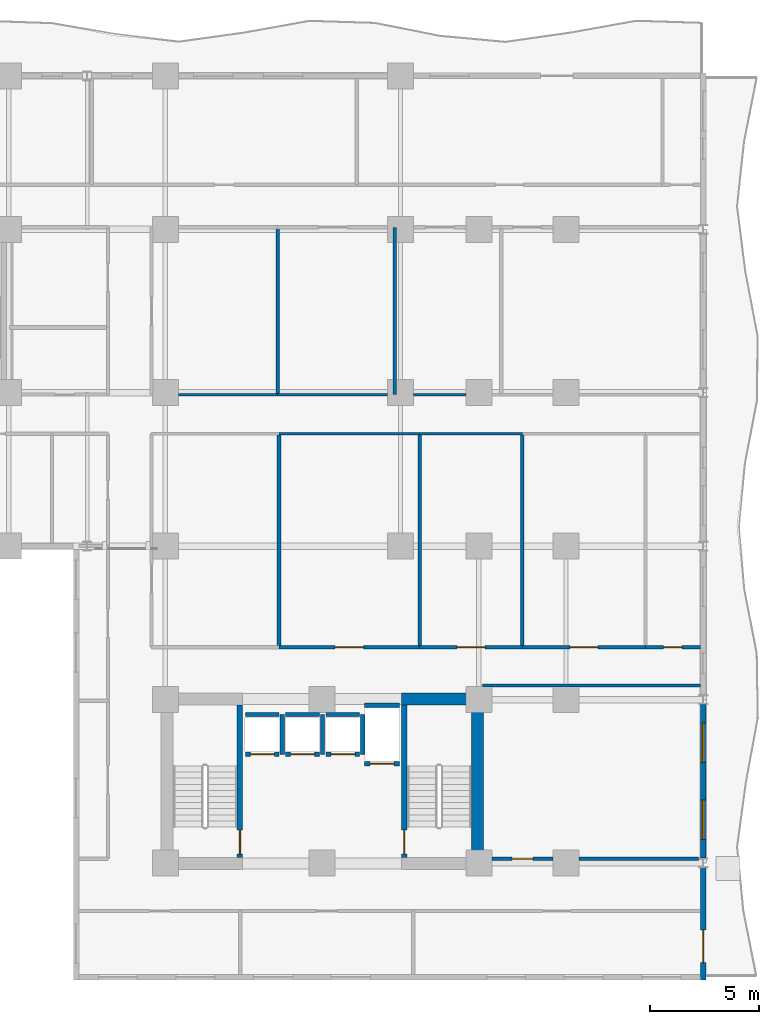
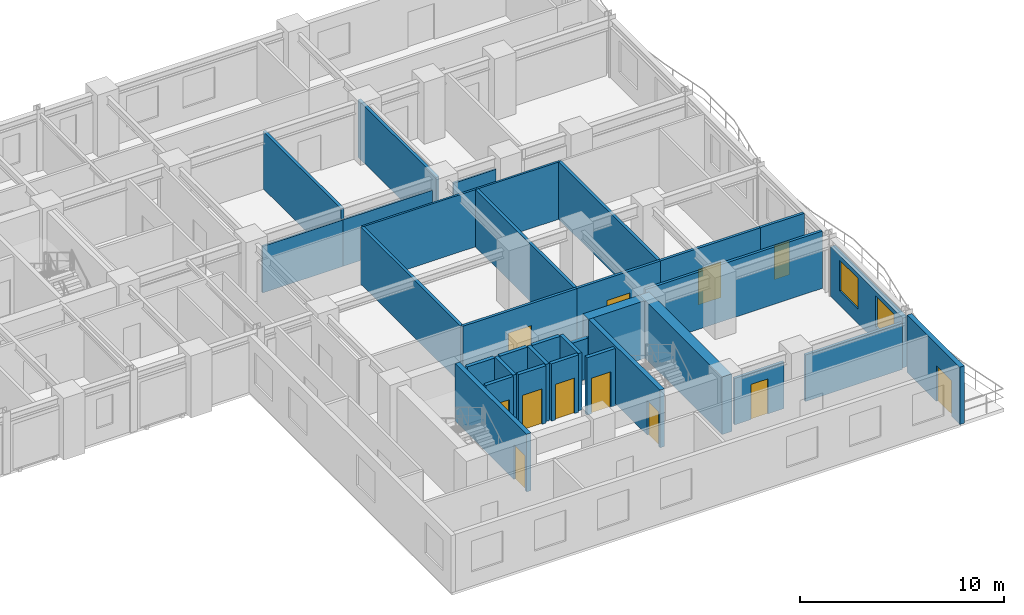
# One storey, part 5 of 11: 34 walls, 12 doors, 2 windows, 14 openings.
"""IFC4 building model written with IfcOpenShell, lengths in metres."""

from ifc_helpers import new_model, si_unit, direction, frame, frame_2d, origin, place, context, subcontext, project, spatial, rectangle, extrude, material, layer, layer_set, type_object, element, fill, save


model = new_model("IFC4")

# Units and contexts
model_context = context("Model", 3, precision=1e-05, world=origin(), true_north=direction((0.0, 1.0)))
body_context = subcontext(model_context, "Body", "Model", "MODEL_VIEW")
ifc_project = project(units=[si_unit("LENGTHUNIT", "METRE"), si_unit("AREAUNIT", "SQUARE_METRE"), si_unit("VOLUMEUNIT", "CUBIC_METRE"), si_unit("PLANEANGLEUNIT", "RADIAN"), si_unit("MASSUNIT", "GRAM", prefix="KILO")], contexts=[model_context])

# Site, building, storey
site_placement = place(None, origin())
site = spatial("IfcSite", under=ifc_project, at=site_placement, CompositionType="ELEMENT")
building_placement = place(site_placement, origin())
building = spatial("IfcBuilding", under=site, at=building_placement, Name="Kaliganga Portal Commons", CompositionType="ELEMENT")
storey_placement = place(building_placement, frame((0.0, 0.0, 104.5)))
storey = spatial("IfcBuildingStorey", under=building, at=storey_placement, Name="L26", CompositionType="ELEMENT", Elevation=104.5)

# Walls
ifc_material_1 = material(Name="Concrete C60/75", Category="concrete")
ifc_layer_1 = layer(ifc_material_1, 0.550048828125)
ifc_layer_set_1 = layer_set([ifc_layer_1], Name="Concrete C60/75")
wall_type_1 = type_object("IfcWallType", Name="WL-CORE-550", PredefinedType="SHEAR", material=ifc_layer_set_1)
wall_1_placement = place(storey_placement, frame((50.324951171875, 6.75, 0.0), z_axis=(0.0, 0.0, 1.0), x_axis=(0.0, 1.0, 0.0)))
element("IfcWall", 1, at=wall_1_placement, inside=storey, type_object=wall_type_1, Name="Core B East Shear Wall L26", PredefinedType="SHEAR", context=body_context, shape_type="SweptSolid", body=[
    extrude(rectangle(XDim=8.10009765625, YDim=0.550048828125, at=frame_2d((4.050048828125, 0.0))), origin(), (0.0, 0.0, 1.0), 3.449951171875),
])
wall_2_placement = place(storey_placement, frame((46.85009765625, 14.574951171875, 0.0), z_axis=(0.0, 0.0, 1.0), x_axis=(1.0, 0.0, 0.0)))
element("IfcWall", 2, at=wall_2_placement, inside=storey, type_object=wall_type_1, Name="Core B N-East Shear Wall L26", PredefinedType="SHEAR", context=body_context, shape_type="SweptSolid", body=[
    extrude(rectangle(XDim=3.199951171875, YDim=0.550048828125, at=frame_2d((1.60009765625, 0.0))), origin(), (0.0, 0.0, 1.0), 3.449951171875),
])

# Wall, opening, door
ifc_material_2 = material(Name="Insulated Aluminium-Clad Spandrel Assembly", Category="aluminium")
ifc_layer_2 = layer(ifc_material_2, 0.260009765625)
ifc_layer_set_2 = layer_set([ifc_layer_2], Name="Insulated Aluminium-Clad Spandrel Assembly")
wall_type_2 = type_object("IfcWallType", Name="WL-EXT-SPAND-260", PredefinedType="STANDARD", material=ifc_layer_set_2)
wall_3_placement = place(storey_placement, frame((60.699951171875, 6.833984375, 0.0), z_axis=(0.0, 0.0, 1.0), x_axis=(0.0, -1.0, 0.0)))
wall_3 = element("IfcWall", 3, at=wall_3_placement, inside=storey, type_object=wall_type_2, Name="Exterior Envelope Wall L26 P1-E01-S1", PredefinedType="STANDARD", context=body_context, shape_type="SweptSolid", body=[
    extrude(rectangle(XDim=5.1640625, YDim=0.260009765625, at=frame_2d((2.58203125, 0.0))), origin(), (0.0, 0.0, 1.0), 3.429931640625),
])
opening_1_placement = place(wall_3_placement, frame((2.864990234375, 0.0, 0.0)))
opening_1 = element("IfcOpeningElement", 4, at=opening_1_placement, cuts=wall_3, Name="Opening BD-01", PredefinedType="OPENING", context=body_context, shape_type="SweptSolid", body=[
    extrude(rectangle(XDim=1.5, YDim=2.14990234375, at=frame_2d((0.75, 1.074951171875))), frame((0.0, 0.14013671875, 0.0), z_axis=(0.0, -1.0, 0.0), x_axis=(1.0, 0.0, 0.0)), (0.0, 0.0, 1.0), 0.280029296875),
])
ifc_material_3 = material(Name="Anodized Aluminium and Laminated Safety Glass", Category="aluminium")
door_type_1 = type_object("IfcDoorType", Name="DR-BALC-1500", OperationType="SLIDING_TO_LEFT", PredefinedType="DOOR", material=ifc_material_3)
door_1_placement = place(opening_1_placement, origin())
door_1 = element("IfcDoor", 5, at=door_1_placement, inside=storey, type_object=door_type_1, Name="Balcony Sliding Door L26 balc_east", OperationType="SLIDING_TO_LEFT", OverallHeight=2.14990234375, OverallWidth=1.5, PredefinedType="DOOR", context=body_context, shape_type="SweptSolid", body=[
    extrude(rectangle(XDim=1.5, YDim=2.14990234375, at=frame_2d((0.75, 1.074951171875))), frame((0.0, 0.02490234375, 0.0), z_axis=(0.0, -1.0, 0.0), x_axis=(1.0, 0.0, 0.0)), (0.0, 0.0, 1.0), 0.050048828125),
])
fill(opening_1, door_1)

# Wall, openings, windows
wall_4_placement = place(storey_placement, frame((60.699951171875, 14.333984375, 0.0), z_axis=(0.0, 0.0, 1.0), x_axis=(0.0, -1.0, 0.0)))
wall_4 = element("IfcWall", 6, at=wall_4_placement, inside=storey, type_object=wall_type_2, Name="Exterior Envelope Wall L26 P1-E01-S2", PredefinedType="STANDARD", context=body_context, shape_type="SweptSolid", body=[
    extrude(rectangle(XDim=7.06787109375, YDim=0.260009765625, at=frame_2d((3.533935546875, 0.0))), origin(), (0.0, 0.0, 1.0), 2.97998046875),
])
opening_2_placement = place(wall_4_placement, frame((0.866943359375, 0.0, 0.85009765625)))
opening_2 = element("IfcOpeningElement", 7, at=opening_2_placement, cuts=wall_4, Name="Opening W-01", PredefinedType="OPENING", context=body_context, shape_type="SweptSolid", body=[
    extrude(rectangle(XDim=1.800048828125, YDim=1.85009765625, at=frame_2d((0.89990234375, 0.925048828125))), frame((0.0, 0.14013671875, 0.0), z_axis=(0.0, -1.0, 0.0), x_axis=(1.0, 0.0, 0.0)), (0.0, 0.0, 1.0), 0.280029296875),
])
opening_3_placement = place(wall_4_placement, frame((4.40087890625, 0.0, 0.85009765625)))
opening_3 = element("IfcOpeningElement", 8, at=opening_3_placement, cuts=wall_4, Name="Opening W-01", PredefinedType="OPENING", context=body_context, shape_type="SweptSolid", body=[
    extrude(rectangle(XDim=1.800048828125, YDim=1.85009765625, at=frame_2d((0.89990234375, 0.925048828125))), frame((0.0, 0.14013671875, 0.0), z_axis=(0.0, -1.0, 0.0), x_axis=(1.0, 0.0, 0.0)), (0.0, 0.0, 1.0), 0.280029296875),
])
ifc_material_4 = material(Name="Thermally Broken Aluminium and Low-E Double Glazing", Category="aluminium")
window_type = type_object("IfcWindowType", Name="WIN-STD-1800", PartitioningType="DOUBLE_PANEL_VERTICAL", PredefinedType="WINDOW", material=ifc_material_4)
window_1_placement = place(opening_2_placement, origin())
window_1 = element("IfcWindow", 9, at=window_1_placement, inside=storey, type_object=window_type, Name="Facade Window L26-P1E01S2-00", OverallHeight=1.85009765625, OverallWidth=1.800048828125, PartitioningType="SINGLE_PANEL", PredefinedType="WINDOW", context=body_context, shape_type="SweptSolid", body=[
    extrude(rectangle(XDim=1.800048828125, YDim=1.85009765625, at=frame_2d((0.89990234375, 0.925048828125))), frame((0.0, 0.030029296875, 0.0), z_axis=(0.0, -1.0, 0.0), x_axis=(1.0, 0.0, 0.0)), (0.0, 0.0, 1.0), 0.06005859375),
])
fill(opening_2, window_1)
window_2_placement = place(opening_3_placement, origin())
window_2 = element("IfcWindow", 10, at=window_2_placement, inside=storey, type_object=window_type, Name="Facade Window L26-P1E01S2-01", OverallHeight=1.85009765625, OverallWidth=1.800048828125, PartitioningType="SINGLE_PANEL", PredefinedType="WINDOW", context=body_context, shape_type="SweptSolid", body=[
    extrude(rectangle(XDim=1.800048828125, YDim=1.85009765625, at=frame_2d((0.89990234375, 0.925048828125))), frame((0.0, 0.030029296875, 0.0), z_axis=(0.0, -1.0, 0.0), x_axis=(1.0, 0.0, 0.0)), (0.0, 0.0, 1.0), 0.06005859375),
])
fill(opening_3, window_2)

# Wall, opening, door
ifc_material_5 = material(Name="Fire-Rated Gypsum Board on Steel Stud", Category="steel")
ifc_layer_3 = layer(ifc_material_5, 0.14990234375)
ifc_layer_set_3 = layer_set([ifc_layer_3], Name="Fire-Rated Gypsum Board on Steel Stud")
wall_type_3 = type_object("IfcWallType", Name="WL-PART-CORR-150", PredefinedType="PARTITIONING", material=ifc_layer_set_3)
wall_5_placement = place(storey_placement, frame((51.0, 7.239990234375, 0.0), z_axis=(0.0, 0.0, 1.0), x_axis=(1.0, 0.0, 0.0)))
wall_5 = element("IfcWall", 11, at=wall_5_placement, inside=storey, type_object=wall_type_3, Name="Interior Partition L26-010", PredefinedType="PARTITIONING", context=body_context, shape_type="SweptSolid", body=[
    extrude(rectangle(XDim=2.800048828125, YDim=0.14990234375, at=frame_2d((1.39990234375, 0.0))), origin(), (0.0, 0.0, 1.0), 2.780029296875),
])
opening_4_placement = place(wall_5_placement, frame((0.925048828125, 0.0, 0.0)))
opening_4 = element("IfcOpeningElement", 12, at=opening_4_placement, cuts=wall_5, Name="Opening UD-01", PredefinedType="OPENING", context=body_context, shape_type="SweptSolid", body=[
    extrude(rectangle(XDim=0.949951171875, YDim=2.10009765625, at=frame_2d((0.47509765625, 1.050048828125))), frame((0.0, 0.0849609375, 0.0), z_axis=(0.0, -1.0, 0.0), x_axis=(1.0, 0.0, 0.0)), (0.0, 0.0, 1.0), 0.169921875),
])
ifc_material_6 = material(Name="Solid-Core Timber Acoustic Fire Door", Category="wood")
door_type_2 = type_object("IfcDoorType", Name="DR-UNIT-950", OperationType="NOTDEFINED", PredefinedType="DOOR", material=ifc_material_6)
door_2_placement = place(opening_4_placement, origin())
door_2 = element("IfcDoor", 13, at=door_2_placement, inside=storey, type_object=door_type_2, Name="Interior Door L26-BE01", OperationType="SINGLE_SWING_LEFT", OverallHeight=2.10009765625, OverallWidth=0.949951171875, PredefinedType="DOOR", context=body_context, shape_type="SweptSolid", body=[
    extrude(rectangle(XDim=0.949951171875, YDim=2.10009765625, at=frame_2d((0.47509765625, 1.050048828125))), frame((0.0, 0.02490234375, 0.0), z_axis=(0.0, -1.0, 0.0), x_axis=(1.0, 0.0, 0.0)), (0.0, 0.0, 1.0), 0.050048828125),
])
fill(opening_4, door_2)

# Walls
wall_6_placement = place(storey_placement, frame((55.0, 7.239990234375, 0.0), z_axis=(0.0, 0.0, 1.0), x_axis=(1.0, 0.0, 0.0)))
element("IfcWall", 14, at=wall_6_placement, inside=storey, type_object=wall_type_3, Name="Interior Partition L26-011", PredefinedType="PARTITIONING", context=body_context, shape_type="SweptSolid", body=[
    extrude(rectangle(XDim=5.49560546875, YDim=0.14990234375, at=frame_2d((2.747802734375, 0.0))), origin(), (0.0, 0.0, 1.0), 2.780029296875),
])
wall_7_placement = place(storey_placement, frame((50.56005859375, 15.199951171875, 0.0), z_axis=(0.0, 0.0, 1.0), x_axis=(1.0, 0.0, 0.0)))
element("IfcWall", 15, at=wall_7_placement, inside=storey, type_object=wall_type_3, Name="Interior Partition L26-012", PredefinedType="PARTITIONING", context=body_context, shape_type="SweptSolid", body=[
    extrude(rectangle(XDim=10.008056640625, YDim=0.14990234375, at=frame_2d((5.00390625, 0.0))), origin(), (0.0, 0.0, 1.0), 3.429931640625),
])

# Wall, opening, door
wall_8_placement = place(storey_placement, frame((41.219970703125, 16.9599609375, 0.0), z_axis=(0.0, 0.0, 1.0), x_axis=(1.0, 0.0, 0.0)))
wall_8 = element("IfcWall", 16, at=wall_8_placement, inside=storey, type_object=wall_type_3, Name="Interior Partition L26-024", PredefinedType="PARTITIONING", context=body_context, shape_type="SweptSolid", body=[
    extrude(rectangle(XDim=6.4599609375, YDim=0.14990234375, at=frame_2d((3.22998046875, 0.0))), origin(), (0.0, 0.0, 1.0), 3.429931640625),
])
opening_5_placement = place(wall_8_placement, frame((2.580078125, 0.0, 0.0)))
opening_5 = element("IfcOpeningElement", 17, at=opening_5_placement, cuts=wall_8, Name="Opening RD-03", PredefinedType="OPENING", context=body_context, shape_type="SweptSolid", body=[
    extrude(rectangle(XDim=1.300048828125, YDim=2.1201171875, at=frame_2d((0.64990234375, 1.06005859375))), frame((0.0, 0.0849609375, 0.0), z_axis=(0.0, -1.0, 0.0), x_axis=(1.0, 0.0, 0.0)), (0.0, 0.0, 1.0), 0.169921875),
])
ifc_material_7 = material(Name="Glazed Timber Seminar Vision Door", Category="wood")
door_type_3 = type_object("IfcDoorType", Name="DR-STUDY-1300", OperationType="DOUBLE_DOOR_SINGLE_SWING", PredefinedType="DOOR", material=ifc_material_7)
door_3_placement = place(opening_5_placement, origin())
door_3 = element("IfcDoor", 18, at=door_3_placement, inside=storey, type_object=door_type_3, Name="Interior Door L26-BM02", OperationType="DOUBLE_DOOR_SINGLE_SWING", OverallHeight=2.1201171875, OverallWidth=1.300048828125, PredefinedType="DOOR", context=body_context, shape_type="SweptSolid", body=[
    extrude(rectangle(XDim=1.300048828125, YDim=2.1201171875, at=frame_2d((0.64990234375, 1.06005859375))), frame((0.0, 0.02490234375, 0.0), z_axis=(0.0, -1.0, 0.0), x_axis=(1.0, 0.0, 0.0)), (0.0, 0.0, 1.0), 0.050048828125),
])
fill(opening_5, door_3)

wall_9_placement = place(storey_placement, frame((52.39990234375, 16.9599609375, 0.0), z_axis=(0.0, 0.0, 1.0), x_axis=(1.0, 0.0, 0.0)))
wall_9 = element("IfcWall", 19, at=wall_9_placement, inside=storey, type_object=wall_type_3, Name="Interior Partition L26-029", PredefinedType="PARTITIONING", context=body_context, shape_type="SweptSolid", body=[
    extrude(rectangle(XDim=5.66015625, YDim=0.14990234375, at=frame_2d((2.830078125, 0.0))), origin(), (0.0, 0.0, 1.0), 3.429931640625),
])
opening_6_placement = place(wall_9_placement, frame((2.179931640625, 0.0, 0.0)))
opening_6 = element("IfcOpeningElement", 20, at=opening_6_placement, cuts=wall_9, Name="Opening RD-03", PredefinedType="OPENING", context=body_context, shape_type="SweptSolid", body=[
    extrude(rectangle(XDim=1.300048828125, YDim=2.1201171875, at=frame_2d((0.64990234375, 1.06005859375))), frame((0.0, 0.0849609375, 0.0), z_axis=(0.0, -1.0, 0.0), x_axis=(1.0, 0.0, 0.0)), (0.0, 0.0, 1.0), 0.169921875),
])
door_4_placement = place(opening_6_placement, origin())
door_4 = element("IfcDoor", 21, at=door_4_placement, inside=storey, type_object=door_type_3, Name="Interior Door L26-BM03B", OperationType="DOUBLE_DOOR_SINGLE_SWING", OverallHeight=2.1201171875, OverallWidth=1.300048828125, PredefinedType="DOOR", context=body_context, shape_type="SweptSolid", body=[
    extrude(rectangle(XDim=1.300048828125, YDim=2.1201171875, at=frame_2d((0.64990234375, 1.06005859375))), frame((0.0, 0.02490234375, 0.0), z_axis=(0.0, -1.0, 0.0), x_axis=(1.0, 0.0, 0.0)), (0.0, 0.0, 1.0), 0.050048828125),
])
fill(opening_6, door_4)

wall_10_placement = place(storey_placement, frame((47.679931640625, 16.9599609375, 0.0), z_axis=(0.0, 0.0, 1.0), x_axis=(1.0, 0.0, 0.0)))
wall_10 = element("IfcWall", 22, at=wall_10_placement, inside=storey, type_object=wall_type_3, Name="Interior Partition L26-035", PredefinedType="PARTITIONING", context=body_context, shape_type="SweptSolid", body=[
    extrude(rectangle(XDim=4.719970703125, YDim=0.14990234375, at=frame_2d((2.35986328125, 0.0))), origin(), (0.0, 0.0, 1.0), 3.429931640625),
])
opening_7_placement = place(wall_10_placement, frame((1.7099609375, 0.0, 0.0)))
opening_7 = element("IfcOpeningElement", 23, at=opening_7_placement, cuts=wall_10, Name="Opening RD-03", PredefinedType="OPENING", context=body_context, shape_type="SweptSolid", body=[
    extrude(rectangle(XDim=1.300048828125, YDim=2.1201171875, at=frame_2d((0.64990234375, 1.06005859375))), frame((0.0, 0.0849609375, 0.0), z_axis=(0.0, -1.0, 0.0), x_axis=(1.0, 0.0, 0.0)), (0.0, 0.0, 1.0), 0.169921875),
])
door_5_placement = place(opening_7_placement, origin())
door_5 = element("IfcDoor", 24, at=door_5_placement, inside=storey, type_object=door_type_3, Name="Interior Door L26-BM03", OperationType="DOUBLE_DOOR_SINGLE_SWING", OverallHeight=2.1201171875, OverallWidth=1.300048828125, PredefinedType="DOOR", context=body_context, shape_type="SweptSolid", body=[
    extrude(rectangle(XDim=1.300048828125, YDim=2.1201171875, at=frame_2d((0.64990234375, 1.06005859375))), frame((0.0, 0.02490234375, 0.0), z_axis=(0.0, -1.0, 0.0), x_axis=(1.0, 0.0, 0.0)), (0.0, 0.0, 1.0), 0.050048828125),
])
fill(opening_7, door_5)

wall_11_placement = place(storey_placement, frame((58.06005859375, 16.9599609375, 0.0), z_axis=(0.0, 0.0, 1.0), x_axis=(1.0, 0.0, 0.0)))
wall_11 = element("IfcWall", 25, at=wall_11_placement, inside=storey, type_object=wall_type_3, Name="Interior Partition L26-042", PredefinedType="PARTITIONING", context=body_context, shape_type="SweptSolid", body=[
    extrude(rectangle(XDim=2.508056640625, YDim=0.14990234375, at=frame_2d((1.25390625, 0.0))), origin(), (0.0, 0.0, 1.0), 3.429931640625),
])
opening_8_placement = place(wall_11_placement, frame((0.8291015625, 0.0, 0.0)))
opening_8 = element("IfcOpeningElement", 26, at=opening_8_placement, cuts=wall_11, Name="Opening WD-01", PredefinedType="OPENING", context=body_context, shape_type="SweptSolid", body=[
    extrude(rectangle(XDim=0.85009765625, YDim=2.0400390625, at=frame_2d((0.425048828125, 1.02001953125))), frame((0.0, 0.0849609375, 0.0), z_axis=(0.0, -1.0, 0.0), x_axis=(1.0, 0.0, 0.0)), (0.0, 0.0, 1.0), 0.169921875),
])
ifc_material_8 = material(Name="Moisture-Resistant Laminate Timber Door", Category="wood")
door_type_4 = type_object("IfcDoorType", Name="DR-WET-850", OperationType="NOTDEFINED", PredefinedType="DOOR", material=ifc_material_8)
door_6_placement = place(opening_8_placement, origin())
door_6 = element("IfcDoor", 27, at=door_6_placement, inside=storey, type_object=door_type_4, Name="Interior Door L26-BM04", OperationType="SINGLE_SWING_RIGHT", OverallHeight=2.0400390625, OverallWidth=0.85009765625, PredefinedType="DOOR", context=body_context, shape_type="SweptSolid", body=[
    extrude(rectangle(XDim=0.85009765625, YDim=2.0400390625, at=frame_2d((0.425048828125, 1.02001953125))), frame((0.0, 0.02490234375, 0.0), z_axis=(0.0, -1.0, 0.0), x_axis=(1.0, 0.0, 0.0)), (0.0, 0.0, 1.0), 0.050048828125),
])
fill(opening_8, door_6)

# Walls
ifc_material_9 = material(Name="Moisture-Resistant Gypsum Partition", Category="gypsum")
ifc_layer_4 = layer(ifc_material_9, 0.114990234375)
ifc_layer_set_4 = layer_set([ifc_layer_4], Name="Moisture-Resistant Gypsum Partition")
wall_type_4 = type_object("IfcWallType", Name="WL-PART-ROOM-115", PredefinedType="PARTITIONING", material=ifc_layer_set_4)
wall_12_placement = place(storey_placement, frame((41.219970703125, 26.760009765625, 0.0), z_axis=(0.0, 0.0, 1.0), x_axis=(1.0, 0.0, 0.0)))
element("IfcWall", 28, at=wall_12_placement, inside=storey, type_object=wall_type_4, Name="Interior Partition L26-057", PredefinedType="PARTITIONING", context=body_context, shape_type="SweptSolid", body=[
    extrude(rectangle(XDim=6.4599609375, YDim=0.114990234375, at=frame_2d((3.22998046875, 0.0))), origin(), (0.0, 0.0, 1.0), 3.429931640625),
])
wall_13_placement = place(storey_placement, frame((36.60009765625, 28.56005859375, 0.0), z_axis=(0.0, 0.0, 1.0), x_axis=(1.0, 0.0, 0.0)))
element("IfcWall", 29, at=wall_13_placement, inside=storey, type_object=wall_type_4, Name="Interior Partition L26-059", PredefinedType="PARTITIONING", context=body_context, shape_type="SweptSolid", body=[
    extrude(rectangle(XDim=4.559814453125, YDim=0.114990234375, at=frame_2d((2.27978515625, 0.0))), origin(), (0.0, 0.0, 1.0), 2.780029296875),
])
wall_14_placement = place(storey_placement, frame((41.159912109375, 28.56005859375, 0.0), z_axis=(0.0, 0.0, 1.0), x_axis=(1.0, 0.0, 0.0)))
element("IfcWall", 30, at=wall_14_placement, inside=storey, type_object=wall_type_4, Name="Interior Partition L26-061", PredefinedType="PARTITIONING", context=body_context, shape_type="SweptSolid", body=[
    extrude(rectangle(XDim=5.0400390625, YDim=0.114990234375, at=frame_2d((2.52001953125, 0.0))), origin(), (0.0, 0.0, 1.0), 2.780029296875),
])
wall_15_placement = place(storey_placement, frame((47.39990234375, 28.56005859375, 0.0), z_axis=(0.0, 0.0, 1.0), x_axis=(1.0, 0.0, 0.0)))
element("IfcWall", 31, at=wall_15_placement, inside=storey, type_object=wall_type_4, Name="Interior Partition L26-070", PredefinedType="PARTITIONING", context=body_context, shape_type="SweptSolid", body=[
    extrude(rectangle(XDim=2.400146484375, YDim=0.114990234375, at=frame_2d((1.2001953125, 0.0))), origin(), (0.0, 0.0, 1.0), 2.780029296875),
])
wall_16_placement = place(storey_placement, frame((47.679931640625, 26.760009765625, 0.0), z_axis=(0.0, 0.0, 1.0), x_axis=(1.0, 0.0, 0.0)))
element("IfcWall", 32, at=wall_16_placement, inside=storey, type_object=wall_type_4, Name="Interior Partition L26-072", PredefinedType="PARTITIONING", context=body_context, shape_type="SweptSolid", body=[
    extrude(rectangle(XDim=4.719970703125, YDim=0.114990234375, at=frame_2d((2.35986328125, 0.0))), origin(), (0.0, 0.0, 1.0), 3.429931640625),
])
ifc_material_10 = material(Name="Twin-Stud Acoustic Gypsum Partition", Category="gypsum")
ifc_layer_5 = layer(ifc_material_10, 0.1650390625)
ifc_layer_set_5 = layer_set([ifc_layer_5], Name="Twin-Stud Acoustic Gypsum Partition")
wall_type_5 = type_object("IfcWallType", Name="WL-PART-UNIT-165", PredefinedType="PARTITIONING", material=ifc_layer_set_5)
for number, where, z_axis, x_axis, name in (
    (33, (41.219970703125, 16.9599609375, 0.0), (0.0, 0.0, 1.0), (0.0, 1.0, 0.0), "Interior Partition L26-048"),
    (34, (47.679931640625, 16.9599609375, 0.0), (0.0, 0.0, 1.0), (0.0, 1.0, 0.0), "Interior Partition L26-049"),
    (35, (52.39990234375, 16.9599609375, 0.0), (0.0, 0.0, 1.0), (0.0, 1.0, 0.0), "Interior Partition L26-050"),
):
    element("IfcWall", number, at=place(storey_placement, frame(where, z_axis=z_axis, x_axis=x_axis)), inside=storey, type_object=wall_type_5, Name=name, PredefinedType="PARTITIONING", context=body_context, shape_type="SweptSolid", body=[
        extrude(rectangle(XDim=9.800048828125, YDim=0.1650390625, at=frame_2d((4.89990234375, 0.0))), origin(), (0.0, 0.0, 1.0), 3.429931640625),
    ])
for number, where, z_axis, x_axis, name in (
    (36, (41.159912109375, 28.56005859375, 0.0), (0.0, 0.0, 1.0), (0.0, 1.0, 0.0), "Interior Partition L26-054"),
    (37, (46.5400390625, 28.56005859375, 0.0), (0.0, 0.0, 1.0), (0.0, 1.0, 0.0), "Interior Partition L26-055"),
):
    element("IfcWall", number, at=place(storey_placement, frame(where, z_axis=z_axis, x_axis=x_axis)), inside=storey, type_object=wall_type_5, Name=name, PredefinedType="PARTITIONING", context=body_context, shape_type="SweptSolid", body=[
        extrude(rectangle(XDim=7.679931640625, YDim=0.1650390625, at=frame_2d((3.83984375, 0.0))), origin(), (0.0, 0.0, 1.0), 3.429931640625),
    ])

# Wall, opening, door
ifc_material_11 = material(Name="Fire-Rated Shaftwall Masonry Assembly", Category="masonry")
ifc_layer_6 = layer(ifc_material_11, 0.199951171875)
ifc_layer_set_6 = layer_set([ifc_layer_6], Name="Fire-Rated Shaftwall Masonry Assembly")
wall_type_6 = type_object("IfcWallType", Name="WL-SHAFT-200", PredefinedType="PARTITIONING", material=ifc_layer_set_6)
wall_17_placement = place(storey_placement, frame((39.675048828125, 12.034912109375, 0.0), z_axis=(0.0, 0.0, 1.0), x_axis=(1.0, 0.0, 0.0)))
wall_17 = element("IfcWall", 38, at=wall_17_placement, inside=storey, type_object=wall_type_6, Name="Lift PL-B1 Hoistway Shaft Wall L26-S", PredefinedType="PARTITIONING", context=body_context, shape_type="SweptSolid", body=[
    extrude(rectangle(XDim=1.550048828125, YDim=0.199951171875, at=frame_2d((0.77490234375, 0.0))), origin(), (0.0, 0.0, 1.0), 3.429931640625),
])
opening_9_placement = place(wall_17_placement, frame((0.22509765625, 0.0, 0.0)))
opening_9 = element("IfcOpeningElement", 39, at=opening_9_placement, cuts=wall_17, Name="Opening LD-01", PredefinedType="OPENING", context=body_context, shape_type="SweptSolid", body=[
    extrude(rectangle(XDim=1.10009765625, YDim=2.1201171875, at=frame_2d((0.550048828125, 1.06005859375))), frame((0.0, 0.10986328125, 0.0), z_axis=(0.0, -1.0, 0.0), x_axis=(1.0, 0.0, 0.0)), (0.0, 0.0, 1.0), 0.219970703125),
])
ifc_material_12 = material(Name="Brushed Stainless Steel 316 Lift Landing Door", Category="steel")
door_type_5 = type_object("IfcDoorType", Name="DR-LIFT-1100", OperationType="SLIDING_TO_LEFT", PredefinedType="DOOR", material=ifc_material_12)
door_7_placement = place(opening_9_placement, origin())
door_7 = element("IfcDoor", 40, at=door_7_placement, inside=storey, type_object=door_type_5, Name="Lift PL-B1 Sliding Landing Door L26", OperationType="SLIDING_TO_LEFT", OverallHeight=2.1201171875, OverallWidth=1.10009765625, PredefinedType="DOOR", context=body_context, shape_type="SweptSolid", body=[
    extrude(rectangle(XDim=1.10009765625, YDim=2.1201171875, at=frame_2d((0.550048828125, 1.06005859375))), frame((0.0, 0.02490234375, 0.0), z_axis=(0.0, -1.0, 0.0), x_axis=(1.0, 0.0, 0.0)), (0.0, 0.0, 1.0), 0.050048828125),
])
fill(opening_9, door_7)

# Walls
wall_18_placement = place(storey_placement, frame((39.675048828125, 13.864990234375, 0.0), z_axis=(0.0, 0.0, 1.0), x_axis=(1.0, 0.0, 0.0)))
element("IfcWall", 41, at=wall_18_placement, inside=storey, type_object=wall_type_6, Name="Lift PL-B1 Hoistway Shaft Wall L26-N", PredefinedType="PARTITIONING", context=body_context, shape_type="SweptSolid", body=[
    extrude(rectangle(XDim=1.550048828125, YDim=0.199951171875, at=frame_2d((0.77490234375, 0.0))), origin(), (0.0, 0.0, 1.0), 3.429931640625),
])
wall_19_placement = place(storey_placement, frame((41.364990234375, 12.034912109375, 0.0), z_axis=(0.0, 0.0, 1.0), x_axis=(0.0, 1.0, 0.0)))
element("IfcWall", 42, at=wall_19_placement, inside=storey, type_object=wall_type_6, Name="Lift PL-B1 Hoistway Shaft Wall L26-E", PredefinedType="PARTITIONING", context=body_context, shape_type="SweptSolid", body=[
    extrude(rectangle(XDim=1.830078125, YDim=0.199951171875, at=frame_2d((0.9150390625, 0.0))), origin(), (0.0, 0.0, 1.0), 3.429931640625),
])

# Wall, opening, door
wall_20_placement = place(storey_placement, frame((41.52490234375, 12.034912109375, 0.0), z_axis=(0.0, 0.0, 1.0), x_axis=(1.0, 0.0, 0.0)))
wall_20 = element("IfcWall", 43, at=wall_20_placement, inside=storey, type_object=wall_type_6, Name="Lift PL-B2 Hoistway Shaft Wall L26-S", PredefinedType="PARTITIONING", context=body_context, shape_type="SweptSolid", body=[
    extrude(rectangle(XDim=1.550048828125, YDim=0.199951171875, at=frame_2d((0.77490234375, 0.0))), origin(), (0.0, 0.0, 1.0), 3.429931640625),
])
opening_10_placement = place(wall_20_placement, frame((0.22509765625, 0.0, 0.0)))
opening_10 = element("IfcOpeningElement", 44, at=opening_10_placement, cuts=wall_20, Name="Opening LD-01", PredefinedType="OPENING", context=body_context, shape_type="SweptSolid", body=[
    extrude(rectangle(XDim=1.10009765625, YDim=2.1201171875, at=frame_2d((0.550048828125, 1.06005859375))), frame((0.0, 0.10986328125, 0.0), z_axis=(0.0, -1.0, 0.0), x_axis=(1.0, 0.0, 0.0)), (0.0, 0.0, 1.0), 0.219970703125),
])
door_8_placement = place(opening_10_placement, origin())
door_8 = element("IfcDoor", 45, at=door_8_placement, inside=storey, type_object=door_type_5, Name="Lift PL-B2 Sliding Landing Door L26", OperationType="SLIDING_TO_LEFT", OverallHeight=2.1201171875, OverallWidth=1.10009765625, PredefinedType="DOOR", context=body_context, shape_type="SweptSolid", body=[
    extrude(rectangle(XDim=1.10009765625, YDim=2.1201171875, at=frame_2d((0.550048828125, 1.06005859375))), frame((0.0, 0.02490234375, 0.0), z_axis=(0.0, -1.0, 0.0), x_axis=(1.0, 0.0, 0.0)), (0.0, 0.0, 1.0), 0.050048828125),
])
fill(opening_10, door_8)

# Walls
wall_21_placement = place(storey_placement, frame((41.52490234375, 13.864990234375, 0.0), z_axis=(0.0, 0.0, 1.0), x_axis=(1.0, 0.0, 0.0)))
element("IfcWall", 46, at=wall_21_placement, inside=storey, type_object=wall_type_6, Name="Lift PL-B2 Hoistway Shaft Wall L26-N", PredefinedType="PARTITIONING", context=body_context, shape_type="SweptSolid", body=[
    extrude(rectangle(XDim=1.550048828125, YDim=0.199951171875, at=frame_2d((0.77490234375, 0.0))), origin(), (0.0, 0.0, 1.0), 3.429931640625),
])
wall_22_placement = place(storey_placement, frame((43.215087890625, 12.034912109375, 0.0), z_axis=(0.0, 0.0, 1.0), x_axis=(0.0, 1.0, 0.0)))
element("IfcWall", 47, at=wall_22_placement, inside=storey, type_object=wall_type_6, Name="Lift PL-B2 Hoistway Shaft Wall L26-E", PredefinedType="PARTITIONING", context=body_context, shape_type="SweptSolid", body=[
    extrude(rectangle(XDim=1.830078125, YDim=0.199951171875, at=frame_2d((0.9150390625, 0.0))), origin(), (0.0, 0.0, 1.0), 3.429931640625),
])

# Wall, opening, door
wall_23_placement = place(storey_placement, frame((43.375, 12.034912109375, 0.0), z_axis=(0.0, 0.0, 1.0), x_axis=(1.0, 0.0, 0.0)))
wall_23 = element("IfcWall", 48, at=wall_23_placement, inside=storey, type_object=wall_type_6, Name="Lift SH-2 Hoistway Shaft Wall L26-S", PredefinedType="PARTITIONING", context=body_context, shape_type="SweptSolid", body=[
    extrude(rectangle(XDim=1.550048828125, YDim=0.199951171875, at=frame_2d((0.77490234375, 0.0))), origin(), (0.0, 0.0, 1.0), 3.429931640625),
])
opening_11_placement = place(wall_23_placement, frame((0.22509765625, 0.0, 0.0)))
opening_11 = element("IfcOpeningElement", 49, at=opening_11_placement, cuts=wall_23, Name="Opening LD-01", PredefinedType="OPENING", context=body_context, shape_type="SweptSolid", body=[
    extrude(rectangle(XDim=1.10009765625, YDim=2.1201171875, at=frame_2d((0.550048828125, 1.06005859375))), frame((0.0, 0.10986328125, 0.0), z_axis=(0.0, -1.0, 0.0), x_axis=(1.0, 0.0, 0.0)), (0.0, 0.0, 1.0), 0.219970703125),
])
door_9_placement = place(opening_11_placement, origin())
door_9 = element("IfcDoor", 50, at=door_9_placement, inside=storey, type_object=door_type_5, Name="Lift SH-2 Sliding Landing Door L26", OperationType="SLIDING_TO_LEFT", OverallHeight=2.1201171875, OverallWidth=1.10009765625, PredefinedType="DOOR", context=body_context, shape_type="SweptSolid", body=[
    extrude(rectangle(XDim=1.10009765625, YDim=2.1201171875, at=frame_2d((0.550048828125, 1.06005859375))), frame((0.0, 0.02490234375, 0.0), z_axis=(0.0, -1.0, 0.0), x_axis=(1.0, 0.0, 0.0)), (0.0, 0.0, 1.0), 0.050048828125),
])
fill(opening_11, door_9)

# Walls
wall_24_placement = place(storey_placement, frame((43.375, 13.864990234375, 0.0), z_axis=(0.0, 0.0, 1.0), x_axis=(1.0, 0.0, 0.0)))
element("IfcWall", 51, at=wall_24_placement, inside=storey, type_object=wall_type_6, Name="Lift SH-2 Hoistway Shaft Wall L26-N", PredefinedType="PARTITIONING", context=body_context, shape_type="SweptSolid", body=[
    extrude(rectangle(XDim=1.550048828125, YDim=0.199951171875, at=frame_2d((0.77490234375, 0.0))), origin(), (0.0, 0.0, 1.0), 3.429931640625),
])
wall_25_placement = place(storey_placement, frame((45.06494140625, 12.034912109375, 0.0), z_axis=(0.0, 0.0, 1.0), x_axis=(0.0, 1.0, 0.0)))
element("IfcWall", 52, at=wall_25_placement, inside=storey, type_object=wall_type_6, Name="Lift SH-2 Hoistway Shaft Wall L26-E", PredefinedType="PARTITIONING", context=body_context, shape_type="SweptSolid", body=[
    extrude(rectangle(XDim=1.830078125, YDim=0.199951171875, at=frame_2d((0.9150390625, 0.0))), origin(), (0.0, 0.0, 1.0), 3.429931640625),
])

# Wall, opening, door
wall_26_placement = place(storey_placement, frame((45.14990234375, 11.610107421875, 0.0), z_axis=(0.0, 0.0, 1.0), x_axis=(1.0, 0.0, 0.0)))
wall_26 = element("IfcWall", 53, at=wall_26_placement, inside=storey, type_object=wall_type_6, Name="Lift SL-B1 Hoistway Shaft Wall L26-S", PredefinedType="PARTITIONING", context=body_context, shape_type="SweptSolid", body=[
    extrude(rectangle(XDim=1.60009765625, YDim=0.199951171875, at=frame_2d((0.800048828125, 0.0))), origin(), (0.0, 0.0, 1.0), 3.429931640625),
])
opening_12_placement = place(wall_26_placement, frame((0.25, 0.0, 0.0)))
opening_12 = element("IfcOpeningElement", 54, at=opening_12_placement, cuts=wall_26, Name="Opening LD-01", PredefinedType="OPENING", context=body_context, shape_type="SweptSolid", body=[
    extrude(rectangle(XDim=1.10009765625, YDim=2.1201171875, at=frame_2d((0.550048828125, 1.06005859375))), frame((0.0, 0.10986328125, 0.0), z_axis=(0.0, -1.0, 0.0), x_axis=(1.0, 0.0, 0.0)), (0.0, 0.0, 1.0), 0.219970703125),
])
door_10_placement = place(opening_12_placement, origin())
door_10 = element("IfcDoor", 55, at=door_10_placement, inside=storey, type_object=door_type_5, Name="Lift SL-B1 Sliding Landing Door L26", OperationType="SLIDING_TO_LEFT", OverallHeight=2.1201171875, OverallWidth=1.10009765625, PredefinedType="DOOR", context=body_context, shape_type="SweptSolid", body=[
    extrude(rectangle(XDim=1.10009765625, YDim=2.1201171875, at=frame_2d((0.550048828125, 1.06005859375))), frame((0.0, 0.02490234375, 0.0), z_axis=(0.0, -1.0, 0.0), x_axis=(1.0, 0.0, 0.0)), (0.0, 0.0, 1.0), 0.050048828125),
])
fill(opening_12, door_10)

# Wall
wall_27_placement = place(storey_placement, frame((45.14990234375, 14.2900390625, 0.0), z_axis=(0.0, 0.0, 1.0), x_axis=(1.0, 0.0, 0.0)))
element("IfcWall", 56, at=wall_27_placement, inside=storey, type_object=wall_type_6, Name="Lift SL-B1 Hoistway Shaft Wall L26-N", PredefinedType="PARTITIONING", context=body_context, shape_type="SweptSolid", body=[
    extrude(rectangle(XDim=1.60009765625, YDim=0.199951171875, at=frame_2d((0.800048828125, 0.0))), origin(), (0.0, 0.0, 1.0), 2.429931640625),
])

# Wall, opening, door
ifc_material_13 = material(Name="Concrete C50/60", Category="concrete")
ifc_layer_7 = layer(ifc_material_13, 0.25)
ifc_layer_set_7 = layer_set([ifc_layer_7], Name="Concrete C50/60")
wall_type_7 = type_object("IfcWallType", Name="WL-STAIR-250", PredefinedType="SHEAR", material=ifc_layer_set_7)
wall_28_placement = place(storey_placement, frame((39.425048828125, 7.300048828125, 0.0), z_axis=(0.0, 0.0, 1.0), x_axis=(0.0, 1.0, 0.0)))
wall_28 = element("IfcWall", 57, at=wall_28_placement, inside=storey, type_object=wall_type_7, Name="Stair B1 Enclosure Shear Wall L26", PredefinedType="SHEAR", context=body_context, shape_type="SweptSolid", body=[
    extrude(rectangle(XDim=7.0, YDim=0.25, at=frame_2d((3.5, 0.0))), origin(), (0.0, 0.0, 1.0), 3.449951171875),
])
opening_13_placement = place(wall_28_placement, frame((0.14990234375, 0.0, 0.0)))
opening_13 = element("IfcOpeningElement", 58, at=opening_13_placement, cuts=wall_28, Name="Opening SD-01", PredefinedType="OPENING", context=body_context, shape_type="SweptSolid", body=[
    extrude(rectangle(XDim=1.10009765625, YDim=2.080078125, at=frame_2d((0.550048828125, 1.0400390625))), frame((0.0, 0.135009765625, 0.0), z_axis=(0.0, -1.0, 0.0), x_axis=(1.0, 0.0, 0.0)), (0.0, 0.0, 1.0), 0.27001953125),
])
ifc_material_14 = material(Name="Galvanized Steel Fire Door Leaf and Frame", Category="steel")
door_type_6 = type_object("IfcDoorType", Name="DR-STAIR-1100", OperationType="NOTDEFINED", PredefinedType="DOOR", material=ifc_material_14)
door_11_placement = place(opening_13_placement, origin())
door_11 = element("IfcDoor", 59, at=door_11_placement, inside=storey, type_object=door_type_6, Name="Protected Stair ST-B1 Fire Door L26", OperationType="SINGLE_SWING_RIGHT", OverallHeight=2.080078125, OverallWidth=1.10009765625, PredefinedType="DOOR", context=body_context, shape_type="SweptSolid", body=[
    extrude(rectangle(XDim=1.10009765625, YDim=2.080078125, at=frame_2d((0.550048828125, 1.0400390625))), frame((0.0, 0.02490234375, 0.0), z_axis=(0.0, -1.0, 0.0), x_axis=(1.0, 0.0, 0.0)), (0.0, 0.0, 1.0), 0.050048828125),
])
fill(opening_13, door_11)

wall_29_placement = place(storey_placement, frame((46.97509765625, 7.300048828125, 0.0), z_axis=(0.0, 0.0, 1.0), x_axis=(0.0, 1.0, 0.0)))
wall_29 = element("IfcWall", 60, at=wall_29_placement, inside=storey, type_object=wall_type_7, Name="Stair B2 Enclosure Shear Wall L26", PredefinedType="SHEAR", context=body_context, shape_type="SweptSolid", body=[
    extrude(rectangle(XDim=7.0, YDim=0.25, at=frame_2d((3.5, 0.0))), origin(), (0.0, 0.0, 1.0), 3.449951171875),
])
opening_14_placement = place(wall_29_placement, frame((0.14990234375, 0.0, 0.0)))
opening_14 = element("IfcOpeningElement", 61, at=opening_14_placement, cuts=wall_29, Name="Opening SD-01", PredefinedType="OPENING", context=body_context, shape_type="SweptSolid", body=[
    extrude(rectangle(XDim=1.10009765625, YDim=2.080078125, at=frame_2d((0.550048828125, 1.0400390625))), frame((0.0, 0.135009765625, 0.0), z_axis=(0.0, -1.0, 0.0), x_axis=(1.0, 0.0, 0.0)), (0.0, 0.0, 1.0), 0.27001953125),
])
door_12_placement = place(opening_14_placement, origin())
door_12 = element("IfcDoor", 62, at=door_12_placement, inside=storey, type_object=door_type_6, Name="Protected Stair ST-B2 Fire Door L26", OperationType="SINGLE_SWING_LEFT", OverallHeight=2.080078125, OverallWidth=1.10009765625, PredefinedType="DOOR", context=body_context, shape_type="SweptSolid", body=[
    extrude(rectangle(XDim=1.10009765625, YDim=2.080078125, at=frame_2d((0.550048828125, 1.0400390625))), frame((0.0, 0.02490234375, 0.0), z_axis=(0.0, -1.0, 0.0), x_axis=(1.0, 0.0, 0.0)), (0.0, 0.0, 1.0), 0.050048828125),
])
fill(opening_14, door_12)

save(model, "model.ifc")
